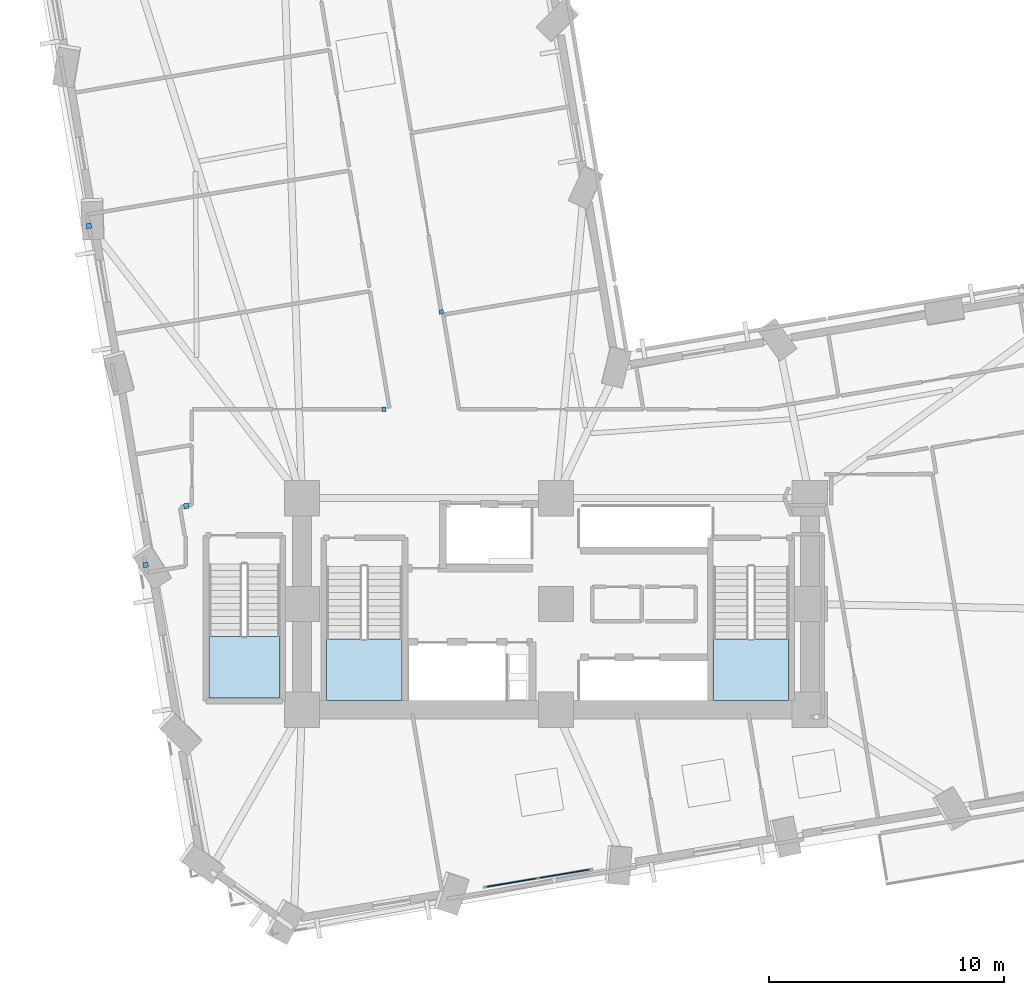
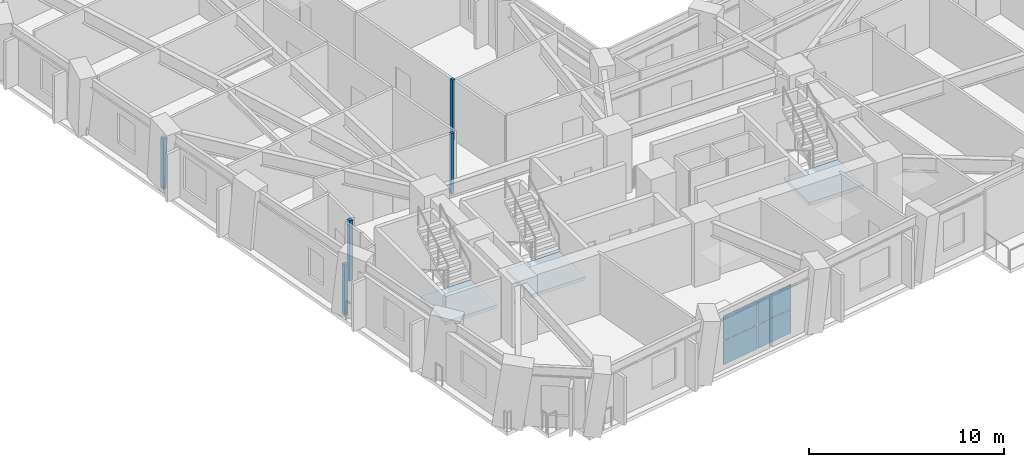
# One storey, part 4 of 16: 9 plates, 3 slabs, 4 elements without a shape of their own.
"""IFC4 building model written with IfcOpenShell, lengths in metres."""

from ifc_helpers import new_model, si_unit, direction, frame, origin, origin_2d, place, context, subcontext, project, spatial, polyline, rectangle, outline, extrude, material, layer, layer_set, type_object, element, aggregate, save


model = new_model("IFC4")

# Units and contexts
model_context = context("Model", 3, precision=1e-05, world=origin(), true_north=direction((0.0, 1.0)))
body_context = subcontext(model_context, "Body", "Model", "MODEL_VIEW")
ifc_project = project(units=[si_unit("LENGTHUNIT", "METRE"), si_unit("AREAUNIT", "SQUARE_METRE"), si_unit("VOLUMEUNIT", "CUBIC_METRE"), si_unit("PLANEANGLEUNIT", "RADIAN"), si_unit("MASSUNIT", "GRAM", prefix="KILO")], contexts=[model_context])

# Site, building, storey
site_placement = place(None, origin())
site = spatial("IfcSite", under=ifc_project, at=site_placement, CompositionType="ELEMENT")
building_placement = place(site_placement, origin())
building = spatial("IfcBuilding", under=site, at=building_placement, Name="Gaonmaruhae Medical Tower", CompositionType="ELEMENT")
storey_placement = place(building_placement, frame((0.0, 0.0, 63.0)))
storey = spatial("IfcBuildingStorey", under=building, at=storey_placement, Name="L14", CompositionType="ELEMENT", Elevation=63.0)

# Curtain wall, plates
ifc_material_1 = material(Name="Anodised aluminium and Low-E double glazing", Category="aluminium")
curtain_wall_type = type_object("IfcCurtainWallType", Name="CW-S3 Spiralling Dayroom Ribbon Curtain Wall", PredefinedType="NOTDEFINED", material=ifc_material_1)
curtain_wall_placement = place(storey_placement, origin())
curtain_wall = element("IfcCurtainWall", 1, at=curtain_wall_placement, inside=storey, type_object=curtain_wall_type, Name="L14 Curtain Wall CW-L14-S02", PredefinedType="NOTDEFINED")
ifc_material_2 = material(Name="Insulated fritted spandrel glass", Category="glass")
ifc_layer_1 = layer(ifc_material_2, 0.0439453125)
ifc_layer_set_1 = layer_set([ifc_layer_1], Name="Insulated fritted spandrel glass")
plate_type_1 = type_object("IfcPlateType", Name="CWP-S1 Insulated Fritted Spandrel Panel", PredefinedType="CURTAIN_PANEL", material=ifc_layer_set_1)
plate_1_placement = place(storey_placement, frame((25.160888671875, 0.828369140625, 0.06494140625), z_axis=(0.0, 0.0, 1.0), x_axis=(-0.986286519214, -0.165042121947, 0.0)))
plate_1 = element("IfcPlate", 2, at=plate_1_placement, type_object=plate_type_1, Name="CW-S3 panel 1.1", PredefinedType="CURTAIN_PANEL", context=body_context, shape_type="SweptSolid", body=[
    extrude(rectangle(XDim=2.20947265625, YDim=0.0439453125, at=origin_2d()), origin(), (0.0, 0.0, 1.0), 1.485107421875),
])
plate_2_placement = place(storey_placement, frame((25.160888671875, 0.828369140625, 1.61474609375), z_axis=(0.0, 0.0, 1.0), x_axis=(-0.986286519214, -0.165042121947, 0.0)))
plate_2 = element("IfcPlate", 3, at=plate_2_placement, type_object=plate_type_1, Name="CW-S3 panel 1.2", PredefinedType="CURTAIN_PANEL", context=body_context, shape_type="SweptSolid", body=[
    extrude(rectangle(XDim=2.20947265625, YDim=0.0439453125, at=origin_2d()), origin(), (0.0, 0.0, 1.0), 1.485107421875),
])
plate_3_placement = place(storey_placement, frame((22.91748046875, 0.452880859375, 0.06494140625), z_axis=(0.0, 0.0, 1.0), x_axis=(-0.986286519214, -0.165042121947, 0.0)))
plate_3 = element("IfcPlate", 4, at=plate_3_placement, type_object=plate_type_1, Name="CW-S3 panel 2.1", PredefinedType="CURTAIN_PANEL", context=body_context, shape_type="SweptSolid", body=[
    extrude(rectangle(XDim=2.20947265625, YDim=0.0439453125, at=origin_2d()), origin(), (0.0, 0.0, 1.0), 1.485107421875),
])
plate_4_placement = place(storey_placement, frame((22.91748046875, 0.452880859375, 1.61474609375), z_axis=(0.0, 0.0, 1.0), x_axis=(-0.986286519214, -0.165042121947, 0.0)))
plate_4 = element("IfcPlate", 5, at=plate_4_placement, type_object=plate_type_1, Name="CW-S3 panel 2.2", PredefinedType="CURTAIN_PANEL", context=body_context, shape_type="SweptSolid", body=[
    extrude(rectangle(XDim=2.20947265625, YDim=0.0439453125, at=origin_2d()), origin(), (0.0, 0.0, 1.0), 1.485107421875),
])
aggregate(curtain_wall, [plate_1, plate_2, plate_3, plate_4])

# Plates
ifc_material_3 = material(Name="Anodised aluminium 6063-T6", Category="aluminium")
ifc_layer_2 = layer(ifc_material_3, 0.011962890625)
ifc_layer_set_2 = layer_set([ifc_layer_2], Name="Anodised aluminium 6063-T6")
plate_type_2 = type_object("IfcPlateType", Name="PP-01 Interior Partition Corner Stiffener Plate", PredefinedType="SHEET", material=ifc_layer_set_2)
for number, where, z_axis, x_axis, name in (
    (6, (17.489990234375, 20.580078125, 0.0), (0.0, 0.0, 1.0), (-1.0, 0.0, 0.0), "L14 Partition End Jamb Post Plate PLT-L14-ENDP-PW052-0"),
    (7, (19.92529296875, 24.72216796875, 0.0), (0.0, 0.0, 1.0), (-0.165030391904, 0.986288482011, 0.0), "L14 Partition End Jamb Post Plate PLT-L14-ENDP-PW090-0"),
):
    element("IfcPlate", number, at=place(storey_placement, frame(where, z_axis=z_axis, x_axis=x_axis)), inside=storey, type_object=plate_type_2, Name=name, PredefinedType="SHEET", context=body_context, shape_type="SweptSolid", body=[
        extrude(rectangle(XDim=0.179931640625, YDim=0.179931640625, at=origin_2d()), origin(), (0.0, 0.0, 1.0), 3.780029296875),
    ])
plate_5_placement = place(storey_placement, frame((7.34912109375, 13.96240234375, 0.0), z_axis=(0.0, 0.0, 1.0), x_axis=(-0.164634457046, 0.986354649988, 0.0)))
element("IfcPlate", 8, at=plate_5_placement, inside=storey, type_object=plate_type_2, Name="L14 Partition Corner Stiffener Plate PLT-L14-JGP-PW044", PredefinedType="SHEET", context=body_context, shape_type="SweptSolid", body=[
    extrude(rectangle(XDim=0.219970703125, YDim=0.219970703125, at=origin_2d()), origin(), (0.0, 0.0, 1.0), 3.1650390625),
])
plate_6_placement = place(storey_placement, frame((9.0810546875, 16.468994140625, 0.0), z_axis=(0.0, 0.0, 1.0), x_axis=(-0.986282720763, -0.165064819767, 0.0)))
element("IfcPlate", 9, at=plate_6_placement, inside=storey, type_object=plate_type_2, Name="L14 Partition Corner Stiffener Plate PLT-L14-JGP-PW047", PredefinedType="SHEET", context=body_context, shape_type="SweptSolid", body=[
    extrude(rectangle(XDim=0.219970703125, YDim=0.219970703125, at=origin_2d()), origin(), (0.0, 0.0, 1.0), 3.780029296875),
])
plate_7_placement = place(storey_placement, frame((4.93603515625, 28.376953125, 0.0), z_axis=(0.0, 0.0, 1.0), x_axis=(-0.165064819767, 0.986282720763, 0.0)))
element("IfcPlate", 10, at=plate_7_placement, inside=storey, type_object=plate_type_2, Name="L14 Partition Corner Stiffener Plate PLT-L14-JGP-PW055", PredefinedType="SHEET", context=body_context, shape_type="SweptSolid", body=[
    extrude(rectangle(XDim=0.219970703125, YDim=0.219970703125, at=origin_2d()), origin(), (0.0, 0.0, 1.0), 3.1650390625),
])

# Stair, slab
ifc_material_4 = material(Name="Concrete C40/50", Category="concrete")
stair_type_1 = type_object("IfcStairType", Name="ST-T1 Primary Core Escape Dogleg Stair", PredefinedType="TWO_QUARTER_TURN_STAIR", material=ifc_material_4)
stair_1_placement = place(storey_placement, origin())
stair_1 = element("IfcStair", 11, at=stair_1_placement, inside=storey, type_object=stair_type_1, Name="L14 Protected Escape Stair ST-01", PredefinedType="TWO_QUARTER_TURN_STAIR")
ifc_layer_3 = layer(ifc_material_4, 0.199951171875)
ifc_layer_set_3 = layer_set([ifc_layer_3], Name="Concrete C40/50")
slab_type = type_object("IfcSlabType", Name="SL-200 Stair & Ramp Intermediate Concrete Landing", PredefinedType="LANDING", material=ifc_layer_set_3)
slab_1_placement = place(storey_placement, frame((0.0, 0.0, 1.800048828125)))
slab_1 = element("IfcSlab", 12, at=slab_1_placement, type_object=slab_type, Name="ST-01 landing 1", PredefinedType="LANDING", context=body_context, shape_type="SweptSolid", body=[
    extrude(outline(polyline([(15.050048828125, 10.820068359375), (15.050048828125, 8.2041015625), (18.25, 8.2041015625), (18.25, 10.820068359375), (15.050048828125, 10.820068359375)])), origin(), (0.0, 0.0, 1.0), 0.199951171875),
])
aggregate(stair_1, [slab_1])

stair_2_placement = place(storey_placement, origin())
stair_2 = element("IfcStair", 13, at=stair_2_placement, inside=storey, type_object=stair_type_1, Name="L14 Protected Escape Stair ST-02", PredefinedType="TWO_QUARTER_TURN_STAIR")
slab_2_placement = place(storey_placement, frame((0.0, 0.0, 1.800048828125)))
slab_2 = element("IfcSlab", 14, at=slab_2_placement, type_object=slab_type, Name="ST-02 landing 1", PredefinedType="LANDING", context=body_context, shape_type="SweptSolid", body=[
    extrude(outline(polyline([(31.5, 10.820068359375), (31.5, 8.2041015625), (34.699951171875, 8.2041015625), (34.699951171875, 10.820068359375), (31.5, 10.820068359375)])), origin(), (0.0, 0.0, 1.0), 0.199951171875),
])
aggregate(stair_2, [slab_2])

stair_type_2 = type_object("IfcStairType", Name="ST-T2 Zone 1 Escape Dogleg Stair", PredefinedType="TWO_QUARTER_TURN_STAIR", material=ifc_material_4)
stair_3_placement = place(storey_placement, origin())
stair_3 = element("IfcStair", 15, at=stair_3_placement, inside=storey, type_object=stair_type_2, Name="L14 Protected Escape Stair ST-03", PredefinedType="TWO_QUARTER_TURN_STAIR")
slab_3_placement = place(storey_placement, frame((0.0, 0.0, 1.800048828125)))
slab_3 = element("IfcSlab", 16, at=slab_3_placement, type_object=slab_type, Name="ST-03 landing 1", PredefinedType="LANDING", context=body_context, shape_type="SweptSolid", body=[
    extrude(outline(polyline([(10.050048828125, 10.919921875), (10.050048828125, 8.300048828125), (13.050048828125, 8.300048828125), (13.050048828125, 10.919921875), (10.050048828125, 10.919921875)])), origin(), (0.0, 0.0, 1.0), 0.199951171875),
])
aggregate(stair_3, [slab_3])

save(model, "model.ifc")
